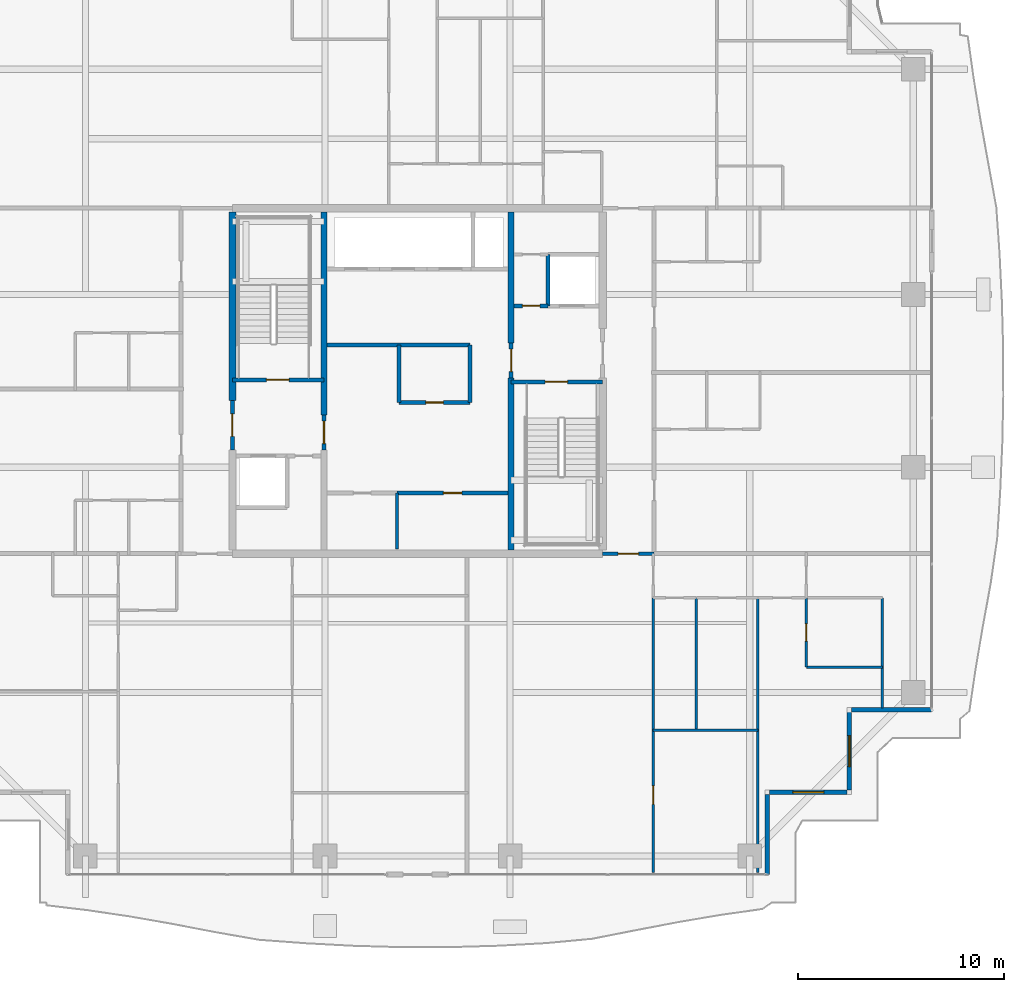
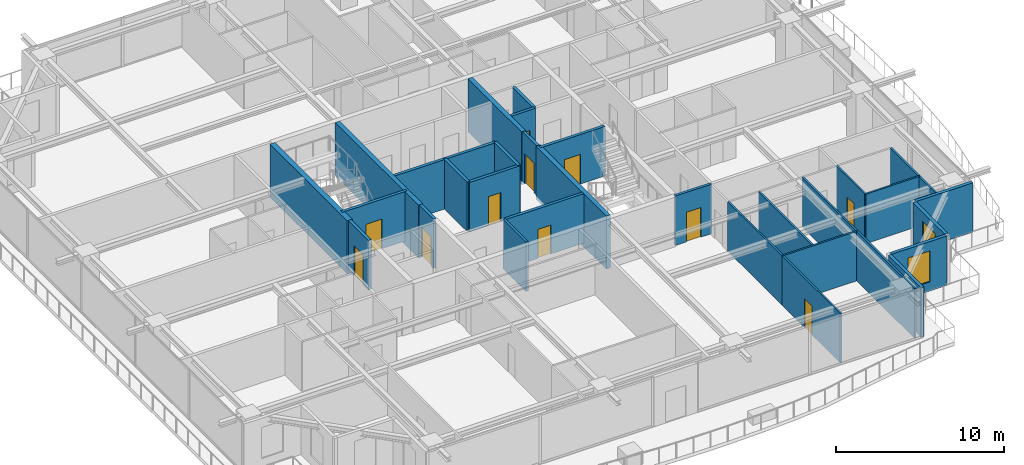
# One storey, part 27 of 37: 30 walls, 11 doors, 2 windows, 13 openings.
"""IFC4 building model written with IfcOpenShell, lengths in metres."""

from ifc_helpers import new_model, si_unit, direction, frame, frame_2d, origin, place, context, subcontext, project, spatial, rectangle, extrude, source, transform, mapped, material, layer, layer_set, type_object, element, fill, save


model = new_model("IFC4")

# Units and contexts
model_context = context("Model", 3, precision=1e-05, world=origin(), true_north=direction((0.0, 1.0)))
body_context = subcontext(model_context, "Body", "Model", "MODEL_VIEW")
ifc_project = project(units=[si_unit("LENGTHUNIT", "METRE"), si_unit("AREAUNIT", "SQUARE_METRE"), si_unit("VOLUMEUNIT", "CUBIC_METRE"), si_unit("PLANEANGLEUNIT", "RADIAN"), si_unit("MASSUNIT", "GRAM", prefix="KILO")], contexts=[model_context])

# Site, building, storey
site_placement = place(None, origin())
site = spatial("IfcSite", under=ifc_project, at=site_placement, CompositionType="ELEMENT")
building_placement = place(site_placement, origin())
building = spatial("IfcBuilding", under=site, at=building_placement, Name="Serunith Strait Residences", CompositionType="ELEMENT")
storey_placement = place(building_placement, frame((0.0, 0.0, 260.5)))
storey = spatial("IfcBuildingStorey", under=building, at=storey_placement, Name="L65", CompositionType="ELEMENT", Elevation=260.5)

# Wall
ifc_material_1 = material(Name="Pale-Champagne Aluminium Insulated Panel", Category="aluminium")
ifc_layer_1 = layer(ifc_material_1, 0.219970703125, Name="Pale-Champagne Aluminium Insulated Panel")
ifc_layer_set_1 = layer_set([ifc_layer_1], Name="Pale-Champagne Aluminium Insulated Panel")
wall_type_1 = type_object("IfcWallType", Name="EW-ALUM-220", PredefinedType="ELEMENTEDWALL", material=ifc_layer_set_1)
wall_1_placement = place(storey_placement, frame((49.39990234375, 1.199951171875, 0.0), z_axis=(0.0, 0.0, 1.0), x_axis=(0.0, 1.0, 0.0)))
element("IfcWall", 1, at=wall_1_placement, inside=storey, type_object=wall_type_1, Name="L65 Girih Serrated Corner Wall 02", PredefinedType="ELEMENTEDWALL", context=body_context, shape_type="SweptSolid", body=[
    extrude(rectangle(XDim=3.89013671875, YDim=0.219970703125, at=frame_2d((1.945068359375, 0.0))), origin(), (0.0, 0.0, 1.0), 3.574951171875),
])

# Wall, opening, window
wall_2_placement = place(storey_placement, frame((49.510009765625, 5.199951171875, 0.0), z_axis=(0.0, 0.0, 1.0), x_axis=(1.0, 0.0, 0.0)))
wall_2 = element("IfcWall", 2, at=wall_2_placement, inside=storey, type_object=wall_type_1, Name="L65 Girih Serrated Corner Wall 03", PredefinedType="ELEMENTEDWALL", context=body_context, shape_type="SweptSolid", body=[
    extrude(rectangle(XDim=3.780029296875, YDim=0.219970703125, at=frame_2d((1.89013671875, 0.0))), origin(), (0.0, 0.0, 1.0), 3.574951171875),
])
opening_1_placement = place(wall_2_placement, frame((1.139892578125, 0.0, 0.64990234375)))
opening_1 = element("IfcOpeningElement", 3, at=opening_1_placement, cuts=wall_2, Name="Opening W-05", PredefinedType="OPENING", context=body_context, shape_type="SweptSolid", body=[
    extrude(rectangle(XDim=1.5, YDim=2.25, at=frame_2d((0.75, 1.125))), frame((0.0, 0.1201171875, 0.0), z_axis=(0.0, -1.0, 0.0), x_axis=(1.0, 0.0, 0.0)), (0.0, 0.0, 1.0), 0.239990234375),
])
ifc_material_2 = material(Name="Ceramic-Fritted Operable Aluminium Window Glass", Category="aluminium")
window_type = type_object("IfcWindowType", Name="WIN-C5", PartitioningType="DOUBLE_PANEL_VERTICAL", PredefinedType="WINDOW", material=ifc_material_2)
shared_shape_1 = source(origin(), body_context, "Body", "SweptSolid", [
    extrude(rectangle(XDim=1.5, YDim=2.25, at=frame_2d((0.75, 1.125))), frame((0.0, 0.030029296875, 0.0), z_axis=(0.0, -1.0, 0.0), x_axis=(1.0, 0.0, 0.0)), (0.0, 0.0, 1.0), 0.06005859375),
])
window_1_placement = place(opening_1_placement, origin())
window_1 = element("IfcWindow", 4, at=window_1_placement, inside=storey, type_object=window_type, Name="L65 Corner Operable Fritted Window 03", OverallHeight=2.25, OverallWidth=1.5, PartitioningType="SINGLE_PANEL", PredefinedType="WINDOW", context=body_context, shape_type="MappedRepresentation", body=[
    mapped(shared_shape_1, transform((0.0, 0.0, 0.0), scale=1.0)),
])
fill(opening_1, window_1)

wall_3_placement = place(storey_placement, frame((53.39990234375, 5.31005859375, 0.0), z_axis=(0.0, 0.0, 1.0), x_axis=(0.0, 1.0, 0.0)))
wall_3 = element("IfcWall", 5, at=wall_3_placement, inside=storey, type_object=wall_type_1, Name="L65 Girih Serrated Corner Wall 04", PredefinedType="ELEMENTEDWALL", context=body_context, shape_type="SweptSolid", body=[
    extrude(rectangle(XDim=3.780029296875, YDim=0.219970703125, at=frame_2d((1.89013671875, 0.0))), origin(), (0.0, 0.0, 1.0), 3.574951171875),
])
opening_2_placement = place(wall_3_placement, frame((1.139892578125, 0.0, 0.64990234375)))
opening_2 = element("IfcOpeningElement", 6, at=opening_2_placement, cuts=wall_3, Name="Opening W-05", PredefinedType="OPENING", context=body_context, shape_type="SweptSolid", body=[
    extrude(rectangle(XDim=1.5, YDim=2.25, at=frame_2d((0.75, 1.125))), frame((0.0, 0.1201171875, 0.0), z_axis=(0.0, -1.0, 0.0), x_axis=(1.0, 0.0, 0.0)), (0.0, 0.0, 1.0), 0.239990234375),
])
window_2_placement = place(opening_2_placement, origin())
window_2 = element("IfcWindow", 7, at=window_2_placement, inside=storey, type_object=window_type, Name="L65 Corner Operable Fritted Window 04", OverallHeight=2.25, OverallWidth=1.5, PartitioningType="SINGLE_PANEL", PredefinedType="WINDOW", context=body_context, shape_type="MappedRepresentation", body=[
    mapped(shared_shape_1, transform((0.0, 0.0, 0.0), scale=1.0)),
])
fill(opening_2, window_2)

# Walls
wall_4_placement = place(storey_placement, frame((53.510009765625, 9.199951171875, 0.0), z_axis=(0.0, 0.0, 1.0), x_axis=(1.0, 0.0, 0.0)))
element("IfcWall", 8, at=wall_4_placement, inside=storey, type_object=wall_type_1, Name="L65 Girih Serrated Corner Wall 05", PredefinedType="ELEMENTEDWALL", context=body_context, shape_type="SweptSolid", body=[
    extrude(rectangle(XDim=3.889892578125, YDim=0.219970703125, at=frame_2d((1.94482421875, 0.0))), origin(), (0.0, 0.0, 1.0), 3.574951171875),
])
ifc_material_3 = material(Name="Fire-rated masonry service closet wall", Category="masonry")
ifc_layer_2 = layer(ifc_material_3, 0.14990234375, Name="Fire-rated masonry service closet wall")
ifc_layer_set_2 = layer_set([ifc_layer_2], Name="Fire-rated masonry service closet wall")
wall_type_2 = type_object("IfcWallType", Name="IW-BOH-150", PredefinedType="PARTITIONING", material=ifc_layer_set_2)
wall_5_placement = place(storey_placement, frame((31.39990234375, 17.02001953125, 0.0), z_axis=(0.0, 0.0, 1.0), x_axis=(0.0, 1.0, 0.0)))
element("IfcWall", 9, at=wall_5_placement, inside=storey, type_object=wall_type_2, Name="L65 Partition Wall 014", PredefinedType="PARTITIONING", context=body_context, shape_type="SweptSolid", body=[
    extrude(rectangle(XDim=2.72998046875, YDim=0.14990234375, at=frame_2d((1.364990234375, 0.0))), origin(), (0.0, 0.0, 1.0), 3.590087890625),
])

# Wall, opening, door
ifc_material_4 = material(Name="Fire-rated acoustic gypsum partition")
ifc_layer_3 = layer(ifc_material_4, 0.179931640625, Name="Fire-rated acoustic gypsum partition")
ifc_layer_set_3 = layer_set([ifc_layer_3], Name="Fire-rated acoustic gypsum partition")
wall_type_3 = type_object("IfcWallType", Name="IW-CORR-180", PredefinedType="PARTITIONING", material=ifc_layer_set_3)
wall_6_placement = place(storey_placement, frame((41.402099609375, 16.800048828125, 0.0), z_axis=(0.0, 0.0, 1.0), x_axis=(1.0, 0.0, 0.0)))
wall_6 = element("IfcWall", 10, at=wall_6_placement, inside=storey, type_object=wall_type_3, Name="L65 Partition Wall 029", PredefinedType="PARTITIONING", context=body_context, shape_type="SweptSolid", body=[
    extrude(rectangle(XDim=2.495849609375, YDim=0.179931640625, at=frame_2d((1.248046875, 0.0))), origin(), (0.0, 0.0, 1.0), 3.590087890625),
])
opening_3_placement = place(wall_6_placement, frame((0.748046875, 0.0, 0.0)))
opening_3 = element("IfcOpeningElement", 11, at=opening_3_placement, cuts=wall_6, Name="Opening D-APT1000", PredefinedType="OPENING", context=body_context, shape_type="SweptSolid", body=[
    extrude(rectangle(XDim=1.0, YDim=2.14990234375, at=frame_2d((0.5, 1.074951171875))), frame((0.0, 0.10009765625, 0.0), z_axis=(0.0, -1.0, 0.0), x_axis=(1.0, 0.0, 0.0)), (0.0, 0.0, 1.0), 0.199951171875),
])
ifc_material_5 = material(Name="Solid timber engineered fire door", Category="wood")
door_type_1 = type_object("IfcDoorType", Name="ID-APT-1000", OperationType="NOTDEFINED", PredefinedType="DOOR", material=ifc_material_5)
shared_shape_2 = source(origin(), body_context, "Body", "SweptSolid", [
    extrude(rectangle(XDim=1.0, YDim=2.14990234375, at=frame_2d((0.5, 1.074951171875))), frame((0.0, 0.02490234375, 0.0), z_axis=(0.0, -1.0, 0.0), x_axis=(1.0, 0.0, 0.0)), (0.0, 0.0, 1.0), 0.050048828125),
])
door_1_placement = place(opening_3_placement, origin())
door_1 = element("IfcDoor", 12, at=door_1_placement, inside=storey, type_object=door_type_1, Name="L65 Unit 02 Entrance Door", OperationType="SINGLE_SWING_LEFT", OverallHeight=2.14990234375, OverallWidth=1.0, PredefinedType="DOOR", context=body_context, shape_type="MappedRepresentation", body=[
    mapped(shared_shape_2, transform((0.0, 0.0, 0.0), scale=1.0)),
])
fill(opening_3, door_1)

ifc_material_6 = material(Name="Lightweight steel-stud gypsum partition", Category="steel")
ifc_layer_4 = layer(ifc_material_6, 0.1201171875, Name="Lightweight steel-stud gypsum partition")
ifc_layer_set_4 = layer_set([ifc_layer_4], Name="Lightweight steel-stud gypsum partition")
wall_type_4 = type_object("IfcWallType", Name="IW-PART-120", PredefinedType="PARTITIONING", material=ifc_layer_set_4)
wall_7_placement = place(storey_placement, frame((43.85009765625, 1.294921875, 0.0), z_axis=(0.0, 0.0, 1.0), x_axis=(0.0, 1.0, 0.0)))
wall_7 = element("IfcWall", 13, at=wall_7_placement, inside=storey, type_object=wall_type_4, Name="L65 Partition Wall 046", PredefinedType="PARTITIONING", context=body_context, shape_type="SweptSolid", body=[
    extrude(rectangle(XDim=6.921142578125, YDim=0.1201171875, at=frame_2d((3.46044921875, 0.0))), origin(), (0.0, 0.0, 1.0), 3.590087890625),
])
opening_4_placement = place(wall_7_placement, frame((3.31201171875, 0.0, 0.0)))
opening_4 = element("IfcOpeningElement", 14, at=opening_4_placement, cuts=wall_7, Name="Opening D-RM900", PredefinedType="OPENING", context=body_context, shape_type="SweptSolid", body=[
    extrude(rectangle(XDim=0.89990234375, YDim=2.10009765625, at=frame_2d((0.449951171875, 1.050048828125))), frame((0.0, 0.070068359375, 0.0), z_axis=(0.0, -1.0, 0.0), x_axis=(1.0, 0.0, 0.0)), (0.0, 0.0, 1.0), 0.14013671875),
])
ifc_material_7 = material(Name="Engineered timber flush bedroom door", Category="wood")
door_type_2 = type_object("IfcDoorType", Name="ID-ROOM-900", OperationType="NOTDEFINED", PredefinedType="DOOR", material=ifc_material_7)
shared_shape_3 = source(origin(), body_context, "Body", "SweptSolid", [
    extrude(rectangle(XDim=0.89990234375, YDim=2.10009765625, at=frame_2d((0.449951171875, 1.050048828125))), frame((0.0, 0.02490234375, 0.0), z_axis=(0.0, -1.0, 0.0), x_axis=(1.0, 0.0, 0.0)), (0.0, 0.0, 1.0), 0.050048828125),
])
door_2_placement = place(opening_4_placement, origin())
door_2 = element("IfcDoor", 15, at=door_2_placement, inside=storey, type_object=door_type_2, Name="L65 Formal Dining Room 1 6502 Door", OperationType="SINGLE_SWING_LEFT", OverallHeight=2.10009765625, OverallWidth=0.89990234375, PredefinedType="DOOR", context=body_context, shape_type="MappedRepresentation", body=[
    mapped(shared_shape_3, transform((0.0, 0.0, 0.0), scale=1.0)),
])
fill(opening_4, door_2)

# Walls
wall_8_placement = place(storey_placement, frame((43.85009765625, 8.218017578125, 0.0), z_axis=(0.0, 0.0, 1.0), x_axis=(0.0, 1.0, 0.0)))
element("IfcWall", 16, at=wall_8_placement, inside=storey, type_object=wall_type_4, Name="L65 Partition Wall 047", PredefinedType="PARTITIONING", context=body_context, shape_type="SweptSolid", body=[
    extrude(rectangle(XDim=6.429931640625, YDim=0.1201171875, at=frame_2d((3.21484375, 0.0))), origin(), (0.0, 0.0, 1.0), 3.590087890625),
])
wall_9_placement = place(storey_placement, frame((43.85009765625, 8.216064453125, 0.0), z_axis=(0.0, 0.0, 1.0), x_axis=(1.0, 0.0, 0.0)))
element("IfcWall", 17, at=wall_9_placement, inside=storey, type_object=wall_type_4, Name="L65 Partition Wall 048", PredefinedType="PARTITIONING", context=body_context, shape_type="SweptSolid", body=[
    extrude(rectangle(XDim=5.099853515625, YDim=0.1201171875, at=frame_2d((2.5498046875, 0.0))), origin(), (0.0, 0.0, 1.0), 3.590087890625),
])
wall_10_placement = place(storey_placement, frame((48.949951171875, 1.294921875, 0.0), z_axis=(0.0, 0.0, 1.0), x_axis=(0.0, 1.0, 0.0)))
element("IfcWall", 18, at=wall_10_placement, inside=storey, type_object=wall_type_4, Name="L65 Partition Wall 049", PredefinedType="PARTITIONING", context=body_context, shape_type="SweptSolid", body=[
    extrude(rectangle(XDim=13.35498046875, YDim=0.1201171875, at=frame_2d((6.677490234375, 0.0))), origin(), (0.0, 0.0, 1.0), 3.590087890625),
])
wall_11_placement = place(storey_placement, frame((45.949951171875, 8.216064453125, 0.0), z_axis=(0.0, 0.0, 1.0), x_axis=(0.0, 1.0, 0.0)))
element("IfcWall", 19, at=wall_11_placement, inside=storey, type_object=wall_type_4, Name="L65 Partition Wall 050", PredefinedType="PARTITIONING", context=body_context, shape_type="SweptSolid", body=[
    extrude(rectangle(XDim=6.433837890625, YDim=0.1201171875, at=frame_2d((3.216796875, 0.0))), origin(), (0.0, 0.0, 1.0), 3.590087890625),
])
wall_12_placement = place(storey_placement, frame((51.300048828125, 11.283935546875, 0.0), z_axis=(0.0, 0.0, 1.0), x_axis=(1.0, 0.0, 0.0)))
element("IfcWall", 20, at=wall_12_placement, inside=storey, type_object=wall_type_4, Name="L65 Partition Wall 054", PredefinedType="PARTITIONING", context=body_context, shape_type="SweptSolid", body=[
    extrude(rectangle(XDim=3.699951171875, YDim=0.1201171875, at=frame_2d((1.85009765625, 0.0))), origin(), (0.0, 0.0, 1.0), 3.590087890625),
])
wall_13_placement = place(storey_placement, frame((55.0, 9.294921875, 0.0), z_axis=(0.0, 0.0, 1.0), x_axis=(0.0, 1.0, 0.0)))
element("IfcWall", 21, at=wall_13_placement, inside=storey, type_object=wall_type_4, Name="L65 Partition Wall 055", PredefinedType="PARTITIONING", context=body_context, shape_type="SweptSolid", body=[
    extrude(rectangle(XDim=5.35498046875, YDim=0.1201171875, at=frame_2d((2.677490234375, 0.0))), origin(), (0.0, 0.0, 1.0), 3.590087890625),
])

# Wall, opening, door
wall_14_placement = place(storey_placement, frame((51.300048828125, 11.283935546875, 0.0), z_axis=(0.0, 0.0, 1.0), x_axis=(0.0, 1.0, 0.0)))
wall_14 = element("IfcWall", 22, at=wall_14_placement, inside=storey, type_object=wall_type_4, Name="L65 Partition Wall 057", PredefinedType="PARTITIONING", context=body_context, shape_type="SweptSolid", body=[
    extrude(rectangle(XDim=3.365966796875, YDim=0.1201171875, at=frame_2d((1.68310546875, 0.0))), origin(), (0.0, 0.0, 1.0), 3.590087890625),
])
opening_5_placement = place(wall_14_placement, frame((1.258056640625, 0.0, 0.0)))
opening_5 = element("IfcOpeningElement", 23, at=opening_5_placement, cuts=wall_14, Name="Opening D-BTH850", PredefinedType="OPENING", context=body_context, shape_type="SweptSolid", body=[
    extrude(rectangle(XDim=0.85009765625, YDim=2.10009765625, at=frame_2d((0.425048828125, 1.050048828125))), frame((0.0, 0.070068359375, 0.0), z_axis=(0.0, -1.0, 0.0), x_axis=(1.0, 0.0, 0.0)), (0.0, 0.0, 1.0), 0.14013671875),
])
ifc_material_8 = material(Name="Moisture-resistant timber bathroom door", Category="wood")
door_type_3 = type_object("IfcDoorType", Name="ID-BATH-850", OperationType="NOTDEFINED", PredefinedType="DOOR", material=ifc_material_8)
shared_shape_4 = source(origin(), body_context, "Body", "SweptSolid", [
    extrude(rectangle(XDim=0.85009765625, YDim=2.10009765625, at=frame_2d((0.425048828125, 1.050048828125))), frame((0.0, 0.02490234375, 0.0), z_axis=(0.0, -1.0, 0.0), x_axis=(1.0, 0.0, 0.0)), (0.0, 0.0, 1.0), 0.050048828125),
])
door_3_placement = place(opening_5_placement, origin())
door_3 = element("IfcDoor", 24, at=door_3_placement, inside=storey, type_object=door_type_3, Name="L65 En-suite Bathroom E 6502 Door", OperationType="SINGLE_SWING_LEFT", OverallHeight=2.10009765625, OverallWidth=0.85009765625, PredefinedType="DOOR", context=body_context, shape_type="MappedRepresentation", body=[
    mapped(shared_shape_4, transform((0.0, 0.0, 0.0), scale=1.0)),
])
fill(opening_5, door_3)

ifc_material_9 = material(Name="Autoclaved aerated concrete blockwork", Category="masonry")
ifc_layer_5 = layer(ifc_material_9, 0.199951171875, Name="Autoclaved aerated concrete blockwork")
ifc_layer_set_5 = layer_set([ifc_layer_5], Name="Autoclaved aerated concrete blockwork")
wall_type_5 = type_object("IfcWallType", Name="IW-SHAFT-200", PredefinedType="STANDARD", material=ifc_layer_set_5)
wall_15_placement = place(storey_placement, frame((23.39990234375, 25.25, 0.0), z_axis=(0.0, 0.0, 1.0), x_axis=(1.0, 0.0, 0.0)))
wall_15 = element("IfcWall", 25, at=wall_15_placement, inside=storey, type_object=wall_type_5, Name="L65 ST-1 South Shaft Wall", PredefinedType="STANDARD", context=body_context, shape_type="SweptSolid", body=[
    extrude(rectangle(XDim=4.4501953125, YDim=0.199951171875, at=frame_2d((2.22509765625, 0.0))), origin(), (0.0, 0.0, 1.0), 3.590087890625),
])
opening_6_placement = place(wall_15_placement, frame((1.64990234375, 0.0, 0.0)))
opening_6 = element("IfcOpeningElement", 26, at=opening_6_placement, cuts=wall_15, Name="Opening FD-1100", PredefinedType="OPENING", context=body_context, shape_type="SweptSolid", body=[
    extrude(rectangle(XDim=1.10009765625, YDim=2.14990234375, at=frame_2d((0.550048828125, 1.074951171875))), frame((0.0, 0.10986328125, 0.0), z_axis=(0.0, -1.0, 0.0), x_axis=(1.0, 0.0, 0.0)), (0.0, 0.0, 1.0), 0.219970703125),
])
ifc_material_10 = material(Name="Galvanised steel fire door leaf", Category="steel")
door_type_4 = type_object("IfcDoorType", Name="FD-STAIR-1100", OperationType="NOTDEFINED", PredefinedType="DOOR", material=ifc_material_10)
shared_shape_5 = source(origin(), body_context, "Body", "SweptSolid", [
    extrude(rectangle(XDim=1.10009765625, YDim=2.14990234375, at=frame_2d((0.550048828125, 1.074951171875))), frame((0.0, 0.02490234375, 0.0), z_axis=(0.0, -1.0, 0.0), x_axis=(1.0, 0.0, 0.0)), (0.0, 0.0, 1.0), 0.050048828125),
])
door_4_placement = place(opening_6_placement, origin())
door_4 = element("IfcDoor", 27, at=door_4_placement, inside=storey, type_object=door_type_4, Name="L65 ST-1 Escape Stair Door", OperationType="SINGLE_SWING_LEFT", OverallHeight=2.14990234375, OverallWidth=1.10009765625, PredefinedType="DOOR", context=body_context, shape_type="MappedRepresentation", body=[
    mapped(shared_shape_5, transform((0.0, 0.0, 0.0), scale=1.0)),
])
fill(opening_6, door_4)

wall_16_placement = place(storey_placement, frame((36.949951171875, 25.14990234375, 0.0), z_axis=(0.0, 0.0, 1.0), x_axis=(1.0, 0.0, 0.0)))
wall_16 = element("IfcWall", 28, at=wall_16_placement, inside=storey, type_object=wall_type_5, Name="L65 ST-2 North Shaft Wall", PredefinedType="STANDARD", context=body_context, shape_type="SweptSolid", body=[
    extrude(rectangle(XDim=4.449951171875, YDim=0.199951171875, at=frame_2d((2.22509765625, 0.0))), origin(), (0.0, 0.0, 1.0), 3.590087890625),
])
opening_7_placement = place(wall_16_placement, frame((1.64990234375, 0.0, 0.0)))
opening_7 = element("IfcOpeningElement", 29, at=opening_7_placement, cuts=wall_16, Name="Opening FD-1100", PredefinedType="OPENING", context=body_context, shape_type="SweptSolid", body=[
    extrude(rectangle(XDim=1.10009765625, YDim=2.14990234375, at=frame_2d((0.550048828125, 1.074951171875))), frame((0.0, 0.10986328125, 0.0), z_axis=(0.0, -1.0, 0.0), x_axis=(1.0, 0.0, 0.0)), (0.0, 0.0, 1.0), 0.219970703125),
])
door_5_placement = place(opening_7_placement, origin())
door_5 = element("IfcDoor", 30, at=door_5_placement, inside=storey, type_object=door_type_4, Name="L65 ST-2 Escape Stair Door", OperationType="SINGLE_SWING_RIGHT", OverallHeight=2.14990234375, OverallWidth=1.10009765625, PredefinedType="DOOR", context=body_context, shape_type="MappedRepresentation", body=[
    mapped(shared_shape_5, transform((0.0, 0.0, 0.0), scale=1.0)),
])
fill(opening_7, door_5)

# Wall
wall_17_placement = place(storey_placement, frame((38.75, 28.85009765625, 0.0), z_axis=(0.0, 0.0, 1.0), x_axis=(0.0, 1.0, 0.0)))
element("IfcWall", 31, at=wall_17_placement, inside=storey, type_object=wall_type_5, Name="L65 Partition Wall 004", PredefinedType="STANDARD", context=body_context, shape_type="SweptSolid", body=[
    extrude(rectangle(XDim=2.5, YDim=0.199951171875, at=frame_2d((1.25, 0.0))), origin(), (0.0, 0.0, 1.0), 3.590087890625),
])

# Wall, opening, door
wall_18_placement = place(storey_placement, frame((37.10009765625, 28.85009765625, 0.0), z_axis=(0.0, 0.0, 1.0), x_axis=(1.0, 0.0, 0.0)))
wall_18 = element("IfcWall", 32, at=wall_18_placement, inside=storey, type_object=wall_type_5, Name="L65 Partition Wall 006", PredefinedType="STANDARD", context=body_context, shape_type="SweptSolid", body=[
    extrude(rectangle(XDim=1.64794921875, YDim=0.199951171875, at=frame_2d((0.823974609375, 0.0))), origin(), (0.0, 0.0, 1.0), 3.590087890625),
])
opening_8_placement = place(wall_18_placement, frame((0.39892578125, 0.0, 0.0)))
opening_8 = element("IfcOpeningElement", 33, at=opening_8_placement, cuts=wall_18, Name="Opening FD-850", PredefinedType="OPENING", context=body_context, shape_type="SweptSolid", body=[
    extrude(rectangle(XDim=0.85009765625, YDim=2.10009765625, at=frame_2d((0.425048828125, 1.050048828125))), frame((0.0, 0.10986328125, 0.0), z_axis=(0.0, -1.0, 0.0), x_axis=(1.0, 0.0, 0.0)), (0.0, 0.0, 1.0), 0.219970703125),
])
ifc_material_11 = material(Name="Powder-coated steel service closet door", Category="steel")
door_type_5 = type_object("IfcDoorType", Name="FD-BOH-850", OperationType="NOTDEFINED", PredefinedType="DOOR", material=ifc_material_11)
door_6_placement = place(opening_8_placement, origin())
door_6 = element("IfcDoor", 34, at=door_6_placement, inside=storey, type_object=door_type_5, Name="L65 North-East Core Service Door", OperationType="SINGLE_SWING_LEFT", OverallHeight=2.10009765625, OverallWidth=0.85009765625, PredefinedType="DOOR", context=body_context, shape_type="MappedRepresentation", body=[
    mapped(shared_shape_4, transform((0.0, 0.0, 0.0), scale=1.0)),
])
fill(opening_8, door_6)

wall_19_placement = place(storey_placement, frame((23.39990234375, 21.85205078125, 0.0), z_axis=(0.0, 0.0, 1.0), x_axis=(0.0, 1.0, 0.0)))
wall_19 = element("IfcWall", 35, at=wall_19_placement, inside=storey, type_object=wall_type_5, Name="L65 Partition Wall 007", PredefinedType="STANDARD", context=body_context, shape_type="SweptSolid", body=[
    extrude(rectangle(XDim=2.39599609375, YDim=0.199951171875, at=frame_2d((1.197998046875, 0.0))), origin(), (0.0, 0.0, 1.0), 3.590087890625),
])
opening_9_placement = place(wall_19_placement, frame((0.64794921875, 0.0, 0.0)))
opening_9 = element("IfcOpeningElement", 36, at=opening_9_placement, cuts=wall_19, Name="Opening FD-FFL", PredefinedType="OPENING", context=body_context, shape_type="SweptSolid", body=[
    extrude(rectangle(XDim=1.10009765625, YDim=2.14990234375, at=frame_2d((0.550048828125, 1.074951171875))), frame((0.0, 0.10986328125, 0.0), z_axis=(0.0, -1.0, 0.0), x_axis=(1.0, 0.0, 0.0)), (0.0, 0.0, 1.0), 0.219970703125),
])
ifc_material_12 = material(Name="Glazed steel smoke-lobby fire door", Category="steel")
door_type_6 = type_object("IfcDoorType", Name="FD-FFL-1100", OperationType="NOTDEFINED", PredefinedType="DOOR", material=ifc_material_12)
door_7_placement = place(opening_9_placement, origin())
door_7 = element("IfcDoor", 37, at=door_7_placement, inside=storey, type_object=door_type_6, Name="L65 FFL-1 Corridor Fire Door", OperationType="SINGLE_SWING_RIGHT", OverallHeight=2.14990234375, OverallWidth=1.10009765625, PredefinedType="DOOR", context=body_context, shape_type="MappedRepresentation", body=[
    mapped(shared_shape_5, transform((0.0, 0.0, 0.0), scale=1.0)),
])
fill(opening_9, door_7)

wall_20_placement = place(storey_placement, frame((27.85009765625, 21.85205078125, 0.0), z_axis=(0.0, 0.0, 1.0), x_axis=(0.0, 1.0, 0.0)))
wall_20 = element("IfcWall", 38, at=wall_20_placement, inside=storey, type_object=wall_type_5, Name="L65 Partition Wall 009", PredefinedType="STANDARD", context=body_context, shape_type="SweptSolid", body=[
    extrude(rectangle(XDim=1.696044921875, YDim=0.199951171875, at=frame_2d((0.84814453125, 0.0))), origin(), (0.0, 0.0, 1.0), 3.590087890625),
])
opening_10_placement = place(wall_20_placement, frame((0.298095703125, 0.0, 0.0)))
opening_10 = element("IfcOpeningElement", 39, at=opening_10_placement, cuts=wall_20, Name="Opening FD-FFL", PredefinedType="OPENING", context=body_context, shape_type="SweptSolid", body=[
    extrude(rectangle(XDim=1.10009765625, YDim=2.14990234375, at=frame_2d((0.550048828125, 1.074951171875))), frame((0.0, 0.10986328125, 0.0), z_axis=(0.0, -1.0, 0.0), x_axis=(1.0, 0.0, 0.0)), (0.0, 0.0, 1.0), 0.219970703125),
])
door_8_placement = place(opening_10_placement, origin())
door_8 = element("IfcDoor", 40, at=door_8_placement, inside=storey, type_object=door_type_6, Name="L65 FFL-1 Lift Lobby Door", OperationType="SINGLE_SWING_RIGHT", OverallHeight=2.14990234375, OverallWidth=1.10009765625, PredefinedType="DOOR", context=body_context, shape_type="MappedRepresentation", body=[
    mapped(shared_shape_5, transform((0.0, 0.0, 0.0), scale=1.0)),
])
fill(opening_10, door_8)

wall_21_placement = place(storey_placement, frame((36.949951171875, 25.35205078125, 0.0), z_axis=(0.0, 0.0, 1.0), x_axis=(0.0, 1.0, 0.0)))
wall_21 = element("IfcWall", 41, at=wall_21_placement, inside=storey, type_object=wall_type_5, Name="L65 Partition Wall 010", PredefinedType="STANDARD", context=body_context, shape_type="SweptSolid", body=[
    extrude(rectangle(XDim=1.696044921875, YDim=0.199951171875, at=frame_2d((0.84814453125, 0.0))), origin(), (0.0, 0.0, 1.0), 3.590087890625),
])
opening_11_placement = place(wall_21_placement, frame((0.298095703125, 0.0, 0.0)))
opening_11 = element("IfcOpeningElement", 42, at=opening_11_placement, cuts=wall_21, Name="Opening FD-FFL", PredefinedType="OPENING", context=body_context, shape_type="SweptSolid", body=[
    extrude(rectangle(XDim=1.10009765625, YDim=2.14990234375, at=frame_2d((0.550048828125, 1.074951171875))), frame((0.0, 0.10986328125, 0.0), z_axis=(0.0, -1.0, 0.0), x_axis=(1.0, 0.0, 0.0)), (0.0, 0.0, 1.0), 0.219970703125),
])
door_9_placement = place(opening_11_placement, origin())
door_9 = element("IfcDoor", 43, at=door_9_placement, inside=storey, type_object=door_type_6, Name="L65 FFL-2 Lift Lobby Door", OperationType="SINGLE_SWING_LEFT", OverallHeight=2.14990234375, OverallWidth=1.10009765625, PredefinedType="DOOR", context=body_context, shape_type="MappedRepresentation", body=[
    mapped(shared_shape_5, transform((0.0, 0.0, 0.0), scale=1.0)),
])
fill(opening_11, door_9)

wall_22_placement = place(storey_placement, frame((31.402099609375, 19.75, 0.0), z_axis=(0.0, 0.0, 1.0), x_axis=(1.0, 0.0, 0.0)))
wall_22 = element("IfcWall", 44, at=wall_22_placement, inside=storey, type_object=wall_type_5, Name="L65 Partition Wall 013", PredefinedType="STANDARD", context=body_context, shape_type="SweptSolid", body=[
    extrude(rectangle(XDim=5.39794921875, YDim=0.199951171875, at=frame_2d((2.698974609375, 0.0))), origin(), (0.0, 0.0, 1.0), 3.590087890625),
])
opening_12_placement = place(wall_22_placement, frame((2.2490234375, 0.0, 0.0)))
opening_12 = element("IfcOpeningElement", 45, at=opening_12_placement, cuts=wall_22, Name="Opening FD-900", PredefinedType="OPENING", context=body_context, shape_type="SweptSolid", body=[
    extrude(rectangle(XDim=0.89990234375, YDim=2.10009765625, at=frame_2d((0.449951171875, 1.050048828125))), frame((0.0, 0.10986328125, 0.0), z_axis=(0.0, -1.0, 0.0), x_axis=(1.0, 0.0, 0.0)), (0.0, 0.0, 1.0), 0.219970703125),
])
ifc_material_13 = material(Name="Powder-coated steel riser door", Category="steel")
door_type_7 = type_object("IfcDoorType", Name="FD-BOH-900", OperationType="NOTDEFINED", PredefinedType="DOOR", material=ifc_material_13)
door_10_placement = place(opening_12_placement, origin())
door_10 = element("IfcDoor", 46, at=door_10_placement, inside=storey, type_object=door_type_7, Name="L65 Zone Switchroom Door", OperationType="SINGLE_SWING_RIGHT", OverallHeight=2.10009765625, OverallWidth=0.89990234375, PredefinedType="DOOR", context=body_context, shape_type="MappedRepresentation", body=[
    mapped(shared_shape_3, transform((0.0, 0.0, 0.0), scale=1.0)),
])
fill(opening_12, door_10)

# Walls
wall_23_placement = place(storey_placement, frame((28.0, 26.949951171875, 0.0), z_axis=(0.0, 0.0, 1.0), x_axis=(1.0, 0.0, 0.0)))
element("IfcWall", 47, at=wall_23_placement, inside=storey, type_object=wall_type_5, Name="L65 Partition Wall 015", PredefinedType="STANDARD", context=body_context, shape_type="SweptSolid", body=[
    extrude(rectangle(XDim=6.949951171875, YDim=0.199951171875, at=frame_2d((3.47509765625, 0.0))), origin(), (0.0, 0.0, 1.0), 3.590087890625),
])
wall_24_placement = place(storey_placement, frame((34.949951171875, 24.14990234375, 0.0), z_axis=(0.0, 0.0, 1.0), x_axis=(0.0, 1.0, 0.0)))
element("IfcWall", 48, at=wall_24_placement, inside=storey, type_object=wall_type_5, Name="L65 Partition Wall 016", PredefinedType="STANDARD", context=body_context, shape_type="SweptSolid", body=[
    extrude(rectangle(XDim=2.800048828125, YDim=0.199951171875, at=frame_2d((1.39990234375, 0.0))), origin(), (0.0, 0.0, 1.0), 3.590087890625),
])

# Wall, opening, door
wall_25_placement = place(storey_placement, frame((31.5, 24.14990234375, 0.0), z_axis=(0.0, 0.0, 1.0), x_axis=(1.0, 0.0, 0.0)))
wall_25 = element("IfcWall", 49, at=wall_25_placement, inside=storey, type_object=wall_type_5, Name="L65 Partition Wall 017", PredefinedType="STANDARD", context=body_context, shape_type="SweptSolid", body=[
    extrude(rectangle(XDim=3.449951171875, YDim=0.199951171875, at=frame_2d((1.72509765625, 0.0))), origin(), (0.0, 0.0, 1.0), 3.590087890625),
])
opening_13_placement = place(wall_25_placement, frame((1.300048828125, 0.0, 0.0)))
opening_13 = element("IfcOpeningElement", 50, at=opening_13_placement, cuts=wall_25, Name="Opening FD-850", PredefinedType="OPENING", context=body_context, shape_type="SweptSolid", body=[
    extrude(rectangle(XDim=0.85009765625, YDim=2.10009765625, at=frame_2d((0.425048828125, 1.050048828125))), frame((0.0, 0.10986328125, 0.0), z_axis=(0.0, -1.0, 0.0), x_axis=(1.0, 0.0, 0.0)), (0.0, 0.0, 1.0), 0.219970703125),
])
door_11_placement = place(opening_13_placement, origin())
door_11 = element("IfcDoor", 51, at=door_11_placement, inside=storey, type_object=door_type_5, Name="L65 Upper Meter Room Door", OperationType="SINGLE_SWING_LEFT", OverallHeight=2.10009765625, OverallWidth=0.85009765625, PredefinedType="DOOR", context=body_context, shape_type="MappedRepresentation", body=[
    mapped(shared_shape_4, transform((0.0, 0.0, 0.0), scale=1.0)),
])
fill(opening_13, door_11)

# Walls
wall_26_placement = place(storey_placement, frame((31.5, 24.14990234375, 0.0), z_axis=(0.0, 0.0, 1.0), x_axis=(0.0, 1.0, 0.0)))
element("IfcWall", 52, at=wall_26_placement, inside=storey, type_object=wall_type_5, Name="L65 Partition Wall 018", PredefinedType="STANDARD", context=body_context, shape_type="SweptSolid", body=[
    extrude(rectangle(XDim=2.800048828125, YDim=0.199951171875, at=frame_2d((1.39990234375, 0.0))), origin(), (0.0, 0.0, 1.0), 3.590087890625),
])
ifc_material_14 = material(Name="Concrete C60/75", Category="concrete")
ifc_layer_6 = layer(ifc_material_14, 0.300048828125, Name="Concrete C60/75")
ifc_layer_set_6 = layer_set([ifc_layer_6], Name="Concrete C60/75")
wall_type_6 = type_object("IfcWallType", Name="SW-300-C60", PredefinedType="SHEAR", material=ifc_layer_set_6)
wall_27_placement = place(storey_placement, frame((27.85009765625, 23.550048828125, -0.260009765625), z_axis=(0.0, 0.0, 1.0), x_axis=(0.0, 1.0, 0.0)))
element("IfcWall", 53, at=wall_27_placement, inside=storey, type_object=wall_type_6, Name="L65 Core Internal West Web North Pier", PredefinedType="SHEAR", context=body_context, shape_type="SweptSolid", body=[
    extrude(rectangle(XDim=9.875, YDim=0.300048828125, at=frame_2d((4.9375, 0.0))), origin(), (0.0, 0.0, 1.0), 3.847900390625),
])
wall_28_placement = place(storey_placement, frame((36.949951171875, 16.97509765625, -0.260009765625), z_axis=(0.0, 0.0, 1.0), x_axis=(0.0, 1.0, 0.0)))
element("IfcWall", 54, at=wall_28_placement, inside=storey, type_object=wall_type_6, Name="L65 Core Internal East Web South Pier", PredefinedType="SHEAR", context=body_context, shape_type="SweptSolid", body=[
    extrude(rectangle(XDim=8.375, YDim=0.300048828125, at=frame_2d((4.1875, 0.0))), origin(), (0.0, 0.0, 1.0), 3.847900390625),
])
wall_29_placement = place(storey_placement, frame((36.949951171875, 27.050048828125, -0.260009765625), z_axis=(0.0, 0.0, 1.0), x_axis=(0.0, 1.0, 0.0)))
element("IfcWall", 55, at=wall_29_placement, inside=storey, type_object=wall_type_6, Name="L65 Core Internal East Web North Pier", PredefinedType="SHEAR", context=body_context, shape_type="SweptSolid", body=[
    extrude(rectangle(XDim=6.375, YDim=0.300048828125, at=frame_2d((3.1875, 0.0))), origin(), (0.0, 0.0, 1.0), 3.847900390625),
])
ifc_layer_7 = layer(ifc_material_14, 0.35009765625, Name="Concrete C60/75")
ifc_layer_set_7 = layer_set([ifc_layer_7], Name="Concrete C60/75")
wall_type_7 = type_object("IfcWallType", Name="SW-350-C60", PredefinedType="SHEAR", material=ifc_layer_set_7)
wall_30_placement = place(storey_placement, frame((23.39990234375, 24.25, -0.260009765625), z_axis=(0.0, 0.0, 1.0), x_axis=(0.0, 1.0, 0.0)))
element("IfcWall", 56, at=wall_30_placement, inside=storey, type_object=wall_type_7, Name="L65 Core West Shear Wall North Pier", PredefinedType="SHEAR", context=body_context, shape_type="SweptSolid", body=[
    extrude(rectangle(XDim=9.175048828125, YDim=0.35009765625, at=frame_2d((4.58740234375, 0.0))), origin(), (0.0, 0.0, 1.0), 3.847900390625),
])

save(model, "model.ifc")
